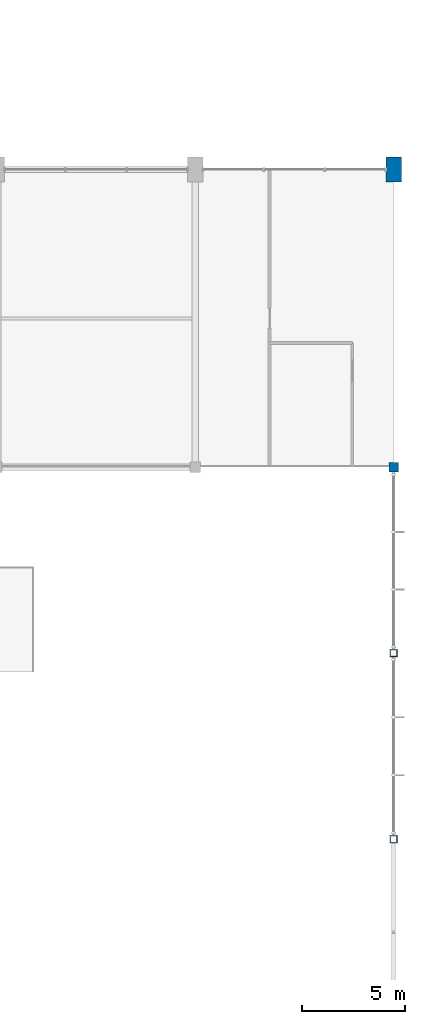
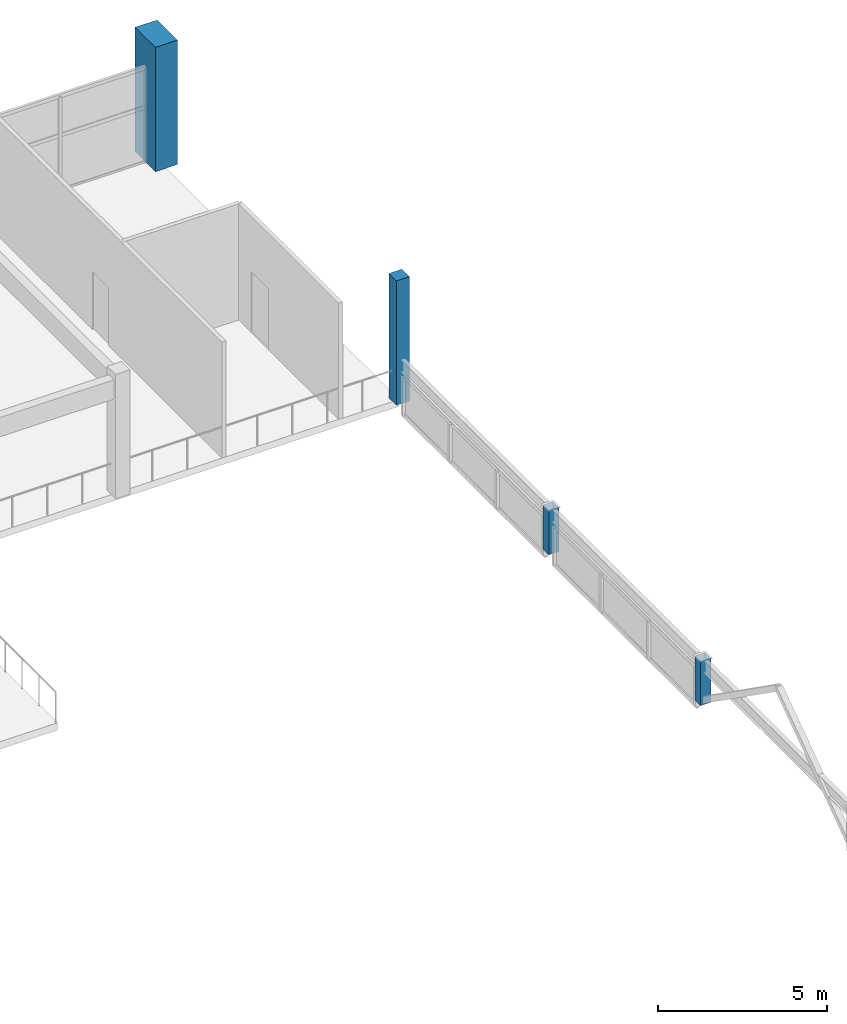
# One storey, part 7 of 89: 4 columns.
"""IFC4 building model written with IfcOpenShell, lengths in metres."""

from ifc_helpers import new_model, si_unit, direction, frame, origin, origin_2d, place, context, subcontext, project, spatial, rectangle, hollow_rectangle, extrude, material, material_profile, profile_set, type_object, element, save


model = new_model("IFC4")

# Units and contexts
model_context = context("Model", 3, precision=1e-05, world=origin(), true_north=direction((0.0, 1.0)))
body_context = subcontext(model_context, "Body", "Model", "MODEL_VIEW")
ifc_project = project(units=[si_unit("LENGTHUNIT", "METRE"), si_unit("AREAUNIT", "SQUARE_METRE"), si_unit("VOLUMEUNIT", "CUBIC_METRE"), si_unit("PLANEANGLEUNIT", "RADIAN"), si_unit("MASSUNIT", "GRAM", prefix="KILO")], contexts=[model_context])

# Site, building, storey
site_placement = place(None, origin())
site = spatial("IfcSite", under=ifc_project, at=site_placement, CompositionType="ELEMENT")
building_placement = place(site_placement, origin())
building = spatial("IfcBuilding", under=site, at=building_placement, Name="Suirenkawa Promenade Aquatics Centre", CompositionType="ELEMENT")
storey_placement = place(building_placement, frame((0.0, 0.0, 9.60009765625)))
storey = spatial("IfcBuildingStorey", under=building, at=storey_placement, Name="L02", CompositionType="ELEMENT", Elevation=9.60009765625)

# Columns
ifc_material_1 = material(Name="Concrete M40", Category="concrete")
ifc_material_profile_1 = material_profile(ifc_material_1, rectangle(XDim=0.75, YDim=1.199951171875, at=origin_2d()), Name="RC PIER 750x1200", Category="concrete")
ifc_profile_set_1 = profile_set([ifc_material_profile_1], Name="Concrete M40")
column_type_1 = type_object("IfcColumnType", Name="CT-PIER-750x1200", PredefinedType="COLUMN", material=ifc_profile_set_1)
column_1_placement = place(storey_placement, frame((194.39990234375, 100.800048828125, 0.0), z_axis=(0.0, 0.0, 1.0), x_axis=(1.0, 0.0, 0.0)))
element("IfcColumn", 1, at=column_1_placement, inside=storey, type_object=column_type_1, Name="Column CL-08 COL-0034", PredefinedType="COLUMN", context=body_context, shape_type="SweptSolid", body=[
    extrude(rectangle(XDim=0.75, YDim=1.199951171875, at=origin_2d()), origin(), (0.0, 0.0, 1.0), 4.5),
])
ifc_material_profile_2 = material_profile(ifc_material_1, rectangle(XDim=0.449951171875, YDim=0.449951171875, at=origin_2d()), Name="RC COL 450x450", Category="concrete")
ifc_profile_set_2 = profile_set([ifc_material_profile_2], Name="Concrete M40")
column_type_2 = type_object("IfcColumnType", Name="CT-RC-450", PredefinedType="COLUMN", material=ifc_profile_set_2)
column_2_placement = place(storey_placement, frame((194.39990234375, 86.39990234375, 0.0), z_axis=(0.0, 0.0, 1.0), x_axis=(1.0, 0.0, 0.0)))
element("IfcColumn", 2, at=column_2_placement, inside=storey, type_object=column_type_2, Name="Column CL-01 COL-0615", PredefinedType="COLUMN", context=body_context, shape_type="SweptSolid", body=[
    extrude(rectangle(XDim=0.449951171875, YDim=0.449951171875, at=origin_2d()), origin(), (0.0, 0.0, 1.0), 4.5),
])
ifc_material_2 = material(Name="Steel IS 2062 E350 (Grade 350)", Category="steel")
ifc_material_profile_3 = material_profile(ifc_material_2, hollow_rectangle(XDim=0.35009765625, YDim=0.35009765625, WallThickness=0.01611328125, at=origin_2d()), Name="SHS 350x350x16", Category="steel")
ifc_profile_set_3 = profile_set([ifc_material_profile_3], Name="Steel IS 2062 E350 (Grade 350)")
column_type_3 = type_object("IfcColumnType", Name="CT-STL-SHS350", PredefinedType="COLUMN", material=ifc_profile_set_3)
for number, where, z_axis, x_axis, name in (
    (3, (194.39990234375, 68.39990234375, 0.0), (0.0, 0.0, 1.0), (1.0, 0.0, 0.0), "Column CL-15 COL-0635"),
    (4, (194.39990234375, 77.39990234375, 0.0), (0.0, 0.0, 1.0), (1.0, 0.0, 0.0), "Column CL-15 COL-0639"),
):
    element("IfcColumn", number, at=place(storey_placement, frame(where, z_axis=z_axis, x_axis=x_axis)), inside=storey, type_object=column_type_3, Name=name, PredefinedType="COLUMN", context=body_context, shape_type="SweptSolid", body=[
        extrude(hollow_rectangle(XDim=0.35009765625, YDim=0.35009765625, WallThickness=0.01611328125, at=origin_2d()), origin(), (0.0, 0.0, 1.0), 1.599853515625),
    ])

save(model, "model.ifc")
